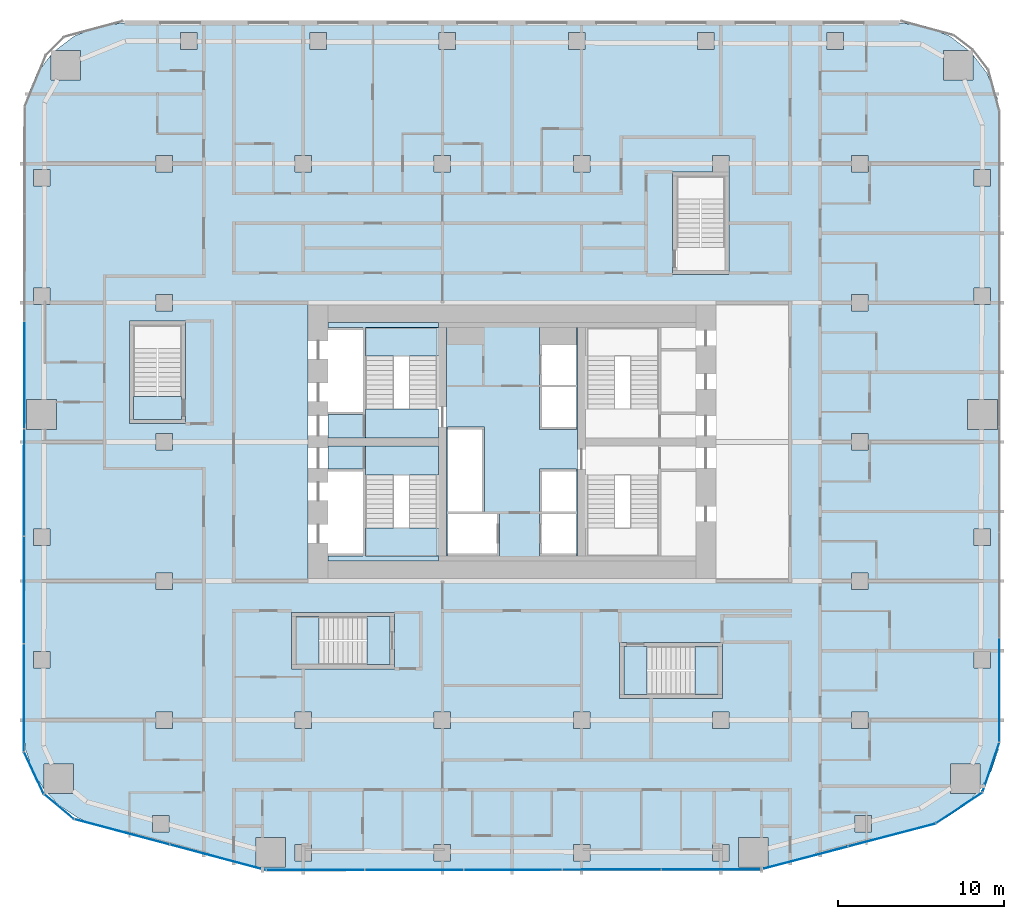
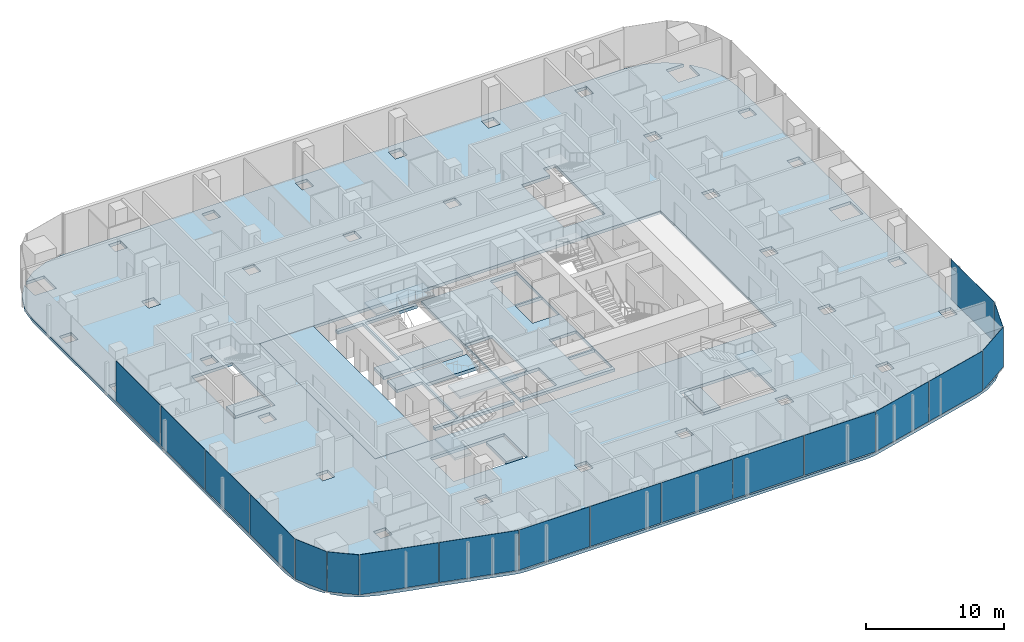
# One storey, part 14 of 26: 18 plates, 14 slabs, 13 elements without a shape of their own.
"""IFC4 building model written with IfcOpenShell, lengths in metres."""

from ifc_helpers import new_model, si_unit, direction, frame, origin, origin_2d, place, context, subcontext, project, spatial, polyline, rectangle, outline, extrude, material, layer, layer_set, type_object, element, aggregate, save


model = new_model("IFC4")

# Units and contexts
model_context = context("Model", 3, precision=1e-05, world=origin(), true_north=direction((0.0, 1.0)))
body_context = subcontext(model_context, "Body", "Model", "MODEL_VIEW")
ifc_project = project(units=[si_unit("LENGTHUNIT", "METRE"), si_unit("AREAUNIT", "SQUARE_METRE"), si_unit("VOLUMEUNIT", "CUBIC_METRE"), si_unit("PLANEANGLEUNIT", "RADIAN"), si_unit("MASSUNIT", "GRAM", prefix="KILO")], contexts=[model_context])

# Site, building, storey
site_placement = place(None, origin())
site = spatial("IfcSite", under=ifc_project, at=site_placement, CompositionType="ELEMENT")
building_placement = place(site_placement, origin())
building = spatial("IfcBuilding", under=site, at=building_placement, Name="Marenta Gate Hotel Tower", CompositionType="ELEMENT")
storey_placement = place(building_placement, frame((0.0, 0.0, 79.699951171875)))
storey = spatial("IfcBuildingStorey", under=building, at=storey_placement, Name="L18", CompositionType="ELEMENT", Elevation=79.699951171875)

# Slabs
ifc_material_1 = material(Name="Concrete C35", Category="concrete")
ifc_layer_1 = layer(ifc_material_1, 0.260009765625)
ifc_layer_set_1 = layer_set([ifc_layer_1], Name="Concrete C35")
slab_type_1 = type_object("IfcSlabType", Name="Concrete floor slab 260", PredefinedType="FLOOR", material=ifc_layer_set_1)
slab_1_placement = place(storey_placement, frame((0.0, 0.0, -0.260009765625)))
element("IfcSlab", 1, at=slab_1_placement, inside=storey, type_object=slab_type_1, Name="L18-SL-1", PredefinedType="FLOOR", context=body_context, shape_type="SweptSolid", body=[
    extrude(outline(polyline([(-27.313720703125, -13.56396484375), (-28.015625, -12.8330078125), (-26.462890625, -12.8330078125), (-26.462890625, -11.032958984375), (-28.262939453125, -11.032958984375), (-28.262939453125, -12.55859375), (-28.927001953125, -11.467041015625), (-29.35546875, -10.20703125), (-29.5, -8.889892578125), (-29.5, 27.6064453125), (-29.29296875, 29.178955078125), (-28.68359375, 30.650390625), (-27.83544921875, 31.755615234375), (-27.83544921875, 30.235595703125), (-26.035400390625, 30.235595703125), (-26.035400390625, 32.035400390625), (-27.555419921875, 32.035400390625), (-26.450439453125, 32.883544921875), (-24.97900390625, 33.492919921875), (-23.406494140625, 33.699951171875), (23.406494140625, 33.699951171875), (24.97900390625, 33.492919921875), (26.450439453125, 32.883544921875), (27.555419921875, 32.035400390625), (26.035400390625, 32.035400390625), (26.035400390625, 30.235595703125), (27.83544921875, 30.235595703125), (27.83544921875, 31.755615234375), (28.68359375, 30.650390625), (29.29296875, 29.178955078125), (29.5, 27.6064453125), (29.5, -8.889892578125), (29.35546875, -10.20703125), (28.927001953125, -11.467041015625), (28.262939453125, -12.55859375), (28.262939453125, -11.032958984375), (26.462890625, -11.032958984375), (26.462890625, -12.8330078125), (28.015625, -12.8330078125), (27.313720703125, -13.56396484375), (26.205810546875, -14.30126953125), (24.969482421875, -14.77880859375), (15.2265625, -17.36376953125), (14.70849609375, -17.4658203125), (14.181640625, -17.5), (-14.181640625, -17.5), (-14.70849609375, -17.4658203125), (-15.2265625, -17.36376953125), (-24.969482421875, -14.77880859375), (-26.205810546875, -14.30126953125), (-27.313720703125, -13.56396484375)]), holes=[polyline([(-16.800048828125, 0.0), (16.800048828125, 0.0), (16.800048828125, 16.800048828125), (-16.800048828125, 16.800048828125), (-16.800048828125, 0.0)]), polyline([(-13.666259765625, -15.474853515625), (-15.46630859375, -15.474853515625), (-15.46630859375, -17.27490234375), (-13.666259765625, -17.27490234375), (-13.666259765625, -15.474853515625)]), polyline([(-20.706787109375, -14.13916015625), (-21.706787109375, -14.13916015625), (-21.706787109375, -15.13916015625), (-20.706787109375, -15.13916015625), (-20.706787109375, -14.13916015625)]), polyline([(-20.5, -8.89990234375), (-20.5, -7.89990234375), (-21.5, -7.89990234375), (-21.5, -8.89990234375), (-20.5, -8.89990234375)]), polyline([(-12.10009765625, -8.89990234375), (-12.10009765625, -7.89990234375), (-13.10009765625, -7.89990234375), (-13.10009765625, -8.89990234375), (-12.10009765625, -8.89990234375)]), polyline([(-27.89990234375, -4.251953125), (-28.89990234375, -4.251953125), (-28.89990234375, -5.251953125), (-27.89990234375, -5.251953125), (-27.89990234375, -4.251953125)]), polyline([(-20.5, -0.5), (-20.5, 0.5), (-21.5, 0.5), (-21.5, -0.5), (-20.5, -0.5)]), polyline([(-27.89990234375, 2.149169921875), (-27.89990234375, 3.149169921875), (-28.89990234375, 3.149169921875), (-28.89990234375, 2.149169921875), (-27.89990234375, 2.149169921875)]), polyline([(-20.5, 8.89990234375), (-21.5, 8.89990234375), (-21.5, 7.89990234375), (-20.5, 7.89990234375), (-20.5, 8.89990234375)]), polyline([(-27.5, 9.14990234375), (-27.5, 10.949951171875), (-29.300048828125, 10.949951171875), (-29.300048828125, 9.14990234375), (-27.5, 9.14990234375)]), polyline([(-20.5, 16.300048828125), (-20.5, 17.300048828125), (-21.5, 17.300048828125), (-21.5, 16.300048828125), (-20.5, 16.300048828125)]), polyline([(-27.89990234375, 17.703125), (-28.89990234375, 17.703125), (-28.89990234375, 16.703125), (-27.89990234375, 16.703125), (-27.89990234375, 17.703125)]), polyline([(-27.89990234375, 23.8564453125), (-27.89990234375, 24.8564453125), (-28.89990234375, 24.8564453125), (-28.89990234375, 23.8564453125), (-27.89990234375, 23.8564453125)]), polyline([(-20.5, 24.699951171875), (-20.5, 25.699951171875), (-21.5, 25.699951171875), (-21.5, 24.699951171875), (-20.5, 24.699951171875)]), polyline([(-19.0068359375, 32.10009765625), (-19.0068359375, 33.10009765625), (-20.0068359375, 33.10009765625), (-20.0068359375, 32.10009765625), (-19.0068359375, 32.10009765625)]), polyline([(-12.10009765625, -16.89990234375), (-12.10009765625, -15.89990234375), (-13.10009765625, -15.89990234375), (-13.10009765625, -16.89990234375), (-12.10009765625, -16.89990234375)]), polyline([(-3.699951171875, -15.89990234375), (-4.699951171875, -15.89990234375), (-4.699951171875, -16.89990234375), (-3.699951171875, -16.89990234375), (-3.699951171875, -15.89990234375)]), polyline([(4.699951171875, -16.89990234375), (4.699951171875, -15.89990234375), (3.699951171875, -15.89990234375), (3.699951171875, -16.89990234375), (4.699951171875, -16.89990234375)]), polyline([(13.10009765625, -16.89990234375), (13.10009765625, -15.89990234375), (12.10009765625, -15.89990234375), (12.10009765625, -16.89990234375), (13.10009765625, -16.89990234375)]), polyline([(15.46630859375, -15.474853515625), (13.666259765625, -15.474853515625), (13.666259765625, -17.27490234375), (15.46630859375, -17.27490234375), (15.46630859375, -15.474853515625)]), polyline([(-3.699951171875, -8.89990234375), (-3.699951171875, -7.89990234375), (-4.699951171875, -7.89990234375), (-4.699951171875, -8.89990234375), (-3.699951171875, -8.89990234375)]), polyline([(4.699951171875, -8.89990234375), (4.699951171875, -7.89990234375), (3.699951171875, -7.89990234375), (3.699951171875, -8.89990234375), (4.699951171875, -8.89990234375)]), polyline([(13.10009765625, -7.89990234375), (12.10009765625, -7.89990234375), (12.10009765625, -8.89990234375), (13.10009765625, -8.89990234375), (13.10009765625, -7.89990234375)]), polyline([(-12.10009765625, 25.699951171875), (-13.10009765625, 25.699951171875), (-13.10009765625, 24.699951171875), (-12.10009765625, 24.699951171875), (-12.10009765625, 25.699951171875)]), polyline([(-3.699951171875, 25.699951171875), (-4.699951171875, 25.699951171875), (-4.699951171875, 24.699951171875), (-3.699951171875, 24.699951171875), (-3.699951171875, 25.699951171875)]), polyline([(4.699951171875, 24.699951171875), (4.699951171875, 25.699951171875), (3.699951171875, 25.699951171875), (3.699951171875, 24.699951171875), (4.699951171875, 24.699951171875)]), polyline([(13.10009765625, 25.699951171875), (12.10009765625, 25.699951171875), (12.10009765625, 24.699951171875), (9.699951171875, 24.699951171875), (9.699951171875, 18.5), (13.10009765625, 18.5), (13.10009765625, 25.699951171875)]), polyline([(-11.2041015625, 33.10009765625), (-12.2041015625, 33.10009765625), (-12.2041015625, 32.10009765625), (-11.2041015625, 32.10009765625), (-11.2041015625, 33.10009765625)]), polyline([(-3.4013671875, 32.10009765625), (-3.4013671875, 33.10009765625), (-4.4013671875, 33.10009765625), (-4.4013671875, 32.10009765625), (-3.4013671875, 32.10009765625)]), polyline([(4.4013671875, 32.10009765625), (4.4013671875, 33.10009765625), (3.4013671875, 33.10009765625), (3.4013671875, 32.10009765625), (4.4013671875, 32.10009765625)]), polyline([(12.2041015625, 33.10009765625), (11.2041015625, 33.10009765625), (11.2041015625, 32.10009765625), (12.2041015625, 32.10009765625), (12.2041015625, 33.10009765625)]), polyline([(21.706787109375, -15.13916015625), (21.706787109375, -14.13916015625), (20.706787109375, -14.13916015625), (20.706787109375, -15.13916015625), (21.706787109375, -15.13916015625)]), polyline([(21.5, -7.89990234375), (20.5, -7.89990234375), (20.5, -8.89990234375), (21.5, -8.89990234375), (21.5, -7.89990234375)]), polyline([(28.89990234375, -5.251953125), (28.89990234375, -4.251953125), (27.89990234375, -4.251953125), (27.89990234375, -5.251953125), (28.89990234375, -5.251953125)]), polyline([(21.5, -0.5), (21.5, 0.5), (20.5, 0.5), (20.5, -0.5), (21.5, -0.5)]), polyline([(28.89990234375, 3.149169921875), (27.89990234375, 3.149169921875), (27.89990234375, 2.149169921875), (28.89990234375, 2.149169921875), (28.89990234375, 3.149169921875)]), polyline([(21.5, 7.89990234375), (21.5, 8.89990234375), (20.5, 8.89990234375), (20.5, 7.89990234375), (21.5, 7.89990234375)]), polyline([(29.300048828125, 9.14990234375), (29.300048828125, 10.949951171875), (27.5, 10.949951171875), (27.5, 9.14990234375), (29.300048828125, 9.14990234375)]), polyline([(21.5, 17.300048828125), (20.5, 17.300048828125), (20.5, 16.300048828125), (21.5, 16.300048828125), (21.5, 17.300048828125)]), polyline([(28.89990234375, 16.703125), (28.89990234375, 17.703125), (27.89990234375, 17.703125), (27.89990234375, 16.703125), (28.89990234375, 16.703125)]), polyline([(28.89990234375, 23.8564453125), (28.89990234375, 24.8564453125), (27.89990234375, 24.8564453125), (27.89990234375, 23.8564453125), (28.89990234375, 23.8564453125)]), polyline([(21.5, 25.699951171875), (20.5, 25.699951171875), (20.5, 24.699951171875), (21.5, 24.699951171875), (21.5, 25.699951171875)]), polyline([(20.0068359375, 32.10009765625), (20.0068359375, 33.10009765625), (19.0068359375, 33.10009765625), (19.0068359375, 32.10009765625), (20.0068359375, 32.10009765625)]), polyline([(6.5, -7.10009765625), (12.699951171875, -7.10009765625), (12.699951171875, -3.699951171875), (6.5, -3.699951171875), (6.5, -7.10009765625)]), polyline([(-13.300048828125, -5.300048828125), (-7.10009765625, -5.300048828125), (-7.10009765625, -1.89990234375), (-13.300048828125, -1.89990234375), (-13.300048828125, -5.300048828125)]), polyline([(-23.10009765625, 9.5), (-19.699951171875, 9.5), (-19.699951171875, 15.699951171875), (-23.10009765625, 15.699951171875), (-23.10009765625, 9.5)])]), origin(), (0.0, 0.0, 1.0), 0.260009765625),
])
ifc_material_2 = material(Name="Concrete C40", Category="concrete")
ifc_layer_2 = layer(ifc_material_2, 0.260009765625)
ifc_layer_set_2 = layer_set([ifc_layer_2], Name="Concrete C40")
slab_type_2 = type_object("IfcSlabType", Name="Core floor slab 260", PredefinedType="FLOOR", material=ifc_layer_set_2)
slab_2_placement = place(storey_placement, frame((0.0, 0.0, -0.260009765625)))
element("IfcSlab", 2, at=slab_2_placement, inside=storey, type_object=slab_type_2, Name="L18-CF-4", PredefinedType="FLOOR", context=body_context, shape_type="SweptSolid", body=[
    extrude(outline(polyline([(3.949951171875, 15.300048828125), (3.949951171875, 10.39990234375), (3.949951171875, 6.39990234375), (3.949951171875, 1.5), (3.949951171875, 1.199951171875), (-3.949951171875, 1.199951171875), (-3.949951171875, 1.5), (-3.949951171875, 6.39990234375), (-3.949951171875, 10.39990234375), (-3.949951171875, 15.300048828125), (-3.949951171875, 15.60009765625), (3.949951171875, 15.60009765625), (3.949951171875, 15.300048828125)]), holes=[polyline([(1.64990234375, 4.050048828125), (1.64990234375, 1.64990234375), (1.64990234375, 1.5), (3.89990234375, 1.5), (3.89990234375, 1.64990234375), (3.89990234375, 4.050048828125), (1.800048828125, 4.050048828125), (1.64990234375, 4.050048828125)]), polyline([(1.64990234375, 9.14990234375), (3.89990234375, 9.14990234375), (3.89990234375, 9.300048828125), (3.89990234375, 11.699951171875), (1.800048828125, 11.699951171875), (1.64990234375, 11.699951171875), (1.64990234375, 9.300048828125), (1.64990234375, 9.14990234375)]), polyline([(1.64990234375, 11.85009765625), (1.800048828125, 11.85009765625), (3.89990234375, 11.85009765625), (3.89990234375, 14.25), (3.89990234375, 15.300048828125), (1.64990234375, 15.300048828125), (1.64990234375, 14.25), (1.64990234375, 11.85009765625)]), polyline([(3.89990234375, 6.60009765625), (3.89990234375, 6.75), (1.64990234375, 6.75), (1.64990234375, 6.60009765625), (1.64990234375, 4.199951171875), (1.800048828125, 4.199951171875), (3.89990234375, 4.199951171875), (3.89990234375, 6.60009765625)]), polyline([(-3.89990234375, 1.5), (-0.89990234375, 1.5), (-0.75, 1.5), (-0.75, 4.050048828125), (-0.89990234375, 4.050048828125), (-3.89990234375, 4.050048828125), (-3.89990234375, 1.64990234375), (-3.89990234375, 1.5)]), polyline([(-1.64990234375, 4.199951171875), (-1.64990234375, 9.14990234375), (-1.64990234375, 9.300048828125), (-3.89990234375, 9.300048828125), (-3.89990234375, 9.14990234375), (-3.89990234375, 6.75), (-3.89990234375, 6.60009765625), (-3.89990234375, 4.199951171875), (-1.800048828125, 4.199951171875), (-1.64990234375, 4.199951171875)])]), origin(), (0.0, 0.0, 1.0), 0.260009765625),
])
slab_3_placement = place(storey_placement, frame((0.0, 0.0, -0.260009765625)))
element("IfcSlab", 3, at=slab_3_placement, inside=storey, type_object=slab_type_2, Name="L18-CF-5", PredefinedType="FLOOR", context=body_context, shape_type="SweptSolid", body=[
    extrude(outline(polyline([(-9.0, 1.5), (-9.0, 1.64990234375), (-9.0, 4.050048828125), (-9.0, 4.199951171875), (-9.0, 6.60009765625), (-9.0, 6.75), (-11.10009765625, 6.75), (-11.10009765625, 8.14990234375), (-8.85009765625, 8.14990234375), (-8.85009765625, 8.10009765625), (-8.85009765625, 6.39990234375), (-8.85009765625, 1.5), (-4.449951171875, 1.5), (-4.449951171875, 1.199951171875), (-11.10009765625, 1.199951171875), (-11.10009765625, 1.5), (-9.0, 1.5)])), origin(), (0.0, 0.0, 1.0), 0.260009765625),
])
slab_4_placement = place(storey_placement, frame((0.0, 0.0, -0.260009765625)))
element("IfcSlab", 4, at=slab_4_placement, inside=storey, type_object=slab_type_2, Name="L18-CF-6", PredefinedType="FLOOR", context=body_context, shape_type="SweptSolid", body=[
    extrude(outline(polyline([(-4.449951171875, 15.300048828125), (-8.85009765625, 15.300048828125), (-8.85009765625, 10.39990234375), (-8.85009765625, 8.699951171875), (-8.85009765625, 8.64990234375), (-11.10009765625, 8.64990234375), (-11.10009765625, 10.050048828125), (-9.0, 10.050048828125), (-9.0, 10.199951171875), (-9.0, 12.60009765625), (-9.0, 12.75), (-9.0, 15.14990234375), (-9.0, 15.300048828125), (-11.10009765625, 15.300048828125), (-11.10009765625, 15.60009765625), (-4.449951171875, 15.60009765625), (-4.449951171875, 15.300048828125)])), origin(), (0.0, 0.0, 1.0), 0.260009765625),
])
slab_5_placement = place(storey_placement, frame((0.0, 0.0, -0.260009765625)))
element("IfcSlab", 5, at=slab_5_placement, inside=storey, type_object=slab_type_2, Name="L18-CF-7", PredefinedType="FLOOR", context=body_context, shape_type="SweptSolid", body=[
    extrude(outline(polyline([(-12.300048828125, 16.800048828125), (-12.300048828125, 0.0), (-16.800048828125, 0.0), (-16.800048828125, 16.800048828125), (-12.300048828125, 16.800048828125)])), origin(), (0.0, 0.0, 1.0), 0.260009765625),
])

# Stair, slab
ifc_material_3 = material(Name="Concrete C40", Category="concrete")
stair_type_1 = type_object("IfcStairType", Name="Core exit stair 1700 wide", PredefinedType="HALF_TURN_STAIR", material=ifc_material_3)
stair_1_placement = place(storey_placement, origin())
stair_1 = element("IfcStair", 6, at=stair_1_placement, inside=storey, type_object=stair_type_1, Name="Exit stair 1", PredefinedType="HALF_TURN_STAIR")
ifc_material_4 = material(Name="Concrete C40", Category="concrete")
ifc_layer_3 = layer(ifc_material_4, 0.199951171875)
ifc_layer_set_3 = layer_set([ifc_layer_3], Name="Concrete C40")
slab_type_3 = type_object("IfcSlabType", Name="Core stair landing 200", PredefinedType="LANDING", material=ifc_layer_set_3)
slab_6_placement = place(storey_placement, frame((0.0, 0.0, 1.60009765625)))
slab_6 = element("IfcSlab", 7, at=slab_6_placement, type_object=slab_type_3, Name="SL-200 ST1 landing 1", PredefinedType="LANDING", context=body_context, shape_type="SweptSolid", body=[
    extrude(outline(polyline([(-8.85009765625, 1.5), (-3.949951171875, 1.5), (-3.949951171875, 3.2099609375), (-8.85009765625, 3.2099609375), (-8.85009765625, 1.5)])), origin(), (0.0, 0.0, 1.0), 0.199951171875),
])
aggregate(stair_1, [slab_6])

stair_2_placement = place(storey_placement, origin())
stair_2 = element("IfcStair", 8, at=stair_2_placement, inside=storey, type_object=stair_type_1, Name="Exit stair 2", PredefinedType="HALF_TURN_STAIR")
slab_7_placement = place(storey_placement, frame((0.0, 0.0, 1.60009765625)))
slab_7 = element("IfcSlab", 9, at=slab_7_placement, type_object=slab_type_3, Name="SL-200 ST2 landing 1", PredefinedType="LANDING", context=body_context, shape_type="SweptSolid", body=[
    extrude(outline(polyline([(-8.85009765625, 13.590087890625), (-3.949951171875, 13.590087890625), (-3.949951171875, 15.300048828125), (-8.85009765625, 15.300048828125), (-8.85009765625, 13.590087890625)])), origin(), (0.0, 0.0, 1.0), 0.199951171875),
])
aggregate(stair_2, [slab_7])

# Curtain wall, plates
ifc_material_5 = material(Name="Tinted insulated glass in bronze anodised frame", Category="glass")
ifc_layer_4 = layer(ifc_material_5, 0.1201171875)
ifc_layer_set_4 = layer_set([ifc_layer_4], Name="Tinted insulated glass in bronze anodised frame")
curtain_wall_type = type_object("IfcCurtainWallType", Name="Tower unitised curtain wall CW1", PredefinedType="NOTDEFINED", material=ifc_layer_set_4)
curtain_wall_1_placement = place(storey_placement, origin())
curtain_wall_1 = element("IfcCurtainWall", 10, at=curtain_wall_1_placement, inside=storey, type_object=curtain_wall_type, Name="CW1 run G03", PredefinedType="NOTDEFINED")
ifc_material_6 = material(Name="Tinted insulated glass", Category="glass")
ifc_layer_5 = layer(ifc_material_6, 0.028076171875)
ifc_layer_set_5 = layer_set([ifc_layer_5], Name="Tinted insulated glass")
plate_type = type_object("IfcPlateType", Name="Glass panel CW1 28 mm tinted insulated unit", PredefinedType="CURTAIN_PANEL", material=ifc_layer_set_5)
plate_1_placement = place(storey_placement, frame((-29.437744140625, 12.440185546875, 0.06005859375), z_axis=(0.0, 0.0, 1.0), x_axis=(-0.00156642217, -0.99999877316, 0.0)))
plate_1 = element("IfcPlate", 11, at=plate_1_placement, type_object=plate_type, Name="CW1 panel 3.1", PredefinedType="CURTAIN_PANEL", context=body_context, shape_type="SweptSolid", body=[
    extrude(rectangle(XDim=6.430419921875, YDim=0.028076171875, at=origin_2d()), origin(), (0.0, 0.0, 1.0), 3.5400390625),
])
plate_2_placement = place(storey_placement, frame((-29.447998046875, 5.949951171875, 0.06005859375), z_axis=(0.0, 0.0, 1.0), x_axis=(-0.00156642217, -0.99999877316, 0.0)))
plate_2 = element("IfcPlate", 12, at=plate_2_placement, type_object=plate_type, Name="CW1 panel 4.1", PredefinedType="CURTAIN_PANEL", context=body_context, shape_type="SweptSolid", body=[
    extrude(rectangle(XDim=6.430419921875, YDim=0.028076171875, at=origin_2d()), origin(), (0.0, 0.0, 1.0), 3.5400390625),
])
plate_3_placement = place(storey_placement, frame((-29.4580078125, -0.54052734375, 0.06005859375), z_axis=(0.0, 0.0, 1.0), x_axis=(-0.00156642217, -0.99999877316, 0.0)))
plate_3 = element("IfcPlate", 13, at=plate_3_placement, type_object=plate_type, Name="CW1 panel 5.1", PredefinedType="CURTAIN_PANEL", context=body_context, shape_type="SweptSolid", body=[
    extrude(rectangle(XDim=6.430419921875, YDim=0.028076171875, at=origin_2d()), origin(), (0.0, 0.0, 1.0), 3.5400390625),
])
plate_4_placement = place(storey_placement, frame((-29.46826171875, -7.0458984375, 0.06005859375), z_axis=(0.0, 0.0, 1.0), x_axis=(-0.00156642217, -0.99999877316, 0.0)))
plate_4 = element("IfcPlate", 14, at=plate_4_placement, type_object=plate_type, Name="CW1 panel 6.1", PredefinedType="CURTAIN_PANEL", context=body_context, shape_type="SweptSolid", body=[
    extrude(rectangle(XDim=6.46044921875, YDim=0.028076171875, at=origin_2d()), origin(), (0.0, 0.0, 1.0), 3.5400390625),
])
aggregate(curtain_wall_1, [plate_1, plate_2, plate_3, plate_4])

# Curtain wall, plate
curtain_wall_2_placement = place(storey_placement, origin())
curtain_wall_2 = element("IfcCurtainWall", 15, at=curtain_wall_2_placement, inside=storey, type_object=curtain_wall_type, Name="CW1 run G04", PredefinedType="NOTDEFINED")
plate_5_placement = place(storey_placement, frame((-28.861083984375, -11.5859375, 0.06005859375), z_axis=(0.0, 0.0, 1.0), x_axis=(0.423341617441, -0.905970129167, 0.0)))
plate_5 = element("IfcPlate", 16, at=plate_5_placement, type_object=plate_type, Name="CW1 panel 1.1", PredefinedType="CURTAIN_PANEL", context=body_context, shape_type="SweptSolid", body=[
    extrude(rectangle(XDim=2.77197265625, YDim=0.028076171875, at=origin_2d()), origin(), (0.0, 0.0, 1.0), 3.5400390625),
])
aggregate(curtain_wall_2, [plate_5])

curtain_wall_3_placement = place(storey_placement, origin())
curtain_wall_3 = element("IfcCurtainWall", 17, at=curtain_wall_3_placement, inside=storey, type_object=curtain_wall_type, Name="CW1 run G05", PredefinedType="NOTDEFINED")
plate_6_placement = place(storey_placement, frame((-27.33984375, -13.623291015625, 0.06005859375), z_axis=(0.0, 0.0, 1.0), x_axis=(0.767113012445, -0.641511984407, 0.0)))
plate_6 = element("IfcPlate", 18, at=plate_6_placement, type_object=plate_type, Name="CW1 panel 1.1", PredefinedType="CURTAIN_PANEL", context=body_context, shape_type="SweptSolid", body=[
    extrude(rectangle(XDim=2.316650390625, YDim=0.028076171875, at=origin_2d()), origin(), (0.0, 0.0, 1.0), 3.5400390625),
])
aggregate(curtain_wall_3, [plate_6])

# Curtain wall, plates
curtain_wall_4_placement = place(storey_placement, origin())
curtain_wall_4 = element("IfcCurtainWall", 19, at=curtain_wall_4_placement, inside=storey, type_object=curtain_wall_type, Name="CW1 run G06", PredefinedType="NOTDEFINED")
plate_7_placement = place(storey_placement, frame((-23.541748046875, -15.140625, 0.06005859375), z_axis=(0.0, 0.0, 1.0), x_axis=(0.966373715782, -0.257141675823, 0.0)))
plate_7 = element("IfcPlate", 20, at=plate_7_placement, type_object=plate_type, Name="CW1 panel 1.1", PredefinedType="CURTAIN_PANEL", context=body_context, shape_type="SweptSolid", body=[
    extrude(rectangle(XDim=5.90185546875, YDim=0.028076171875, at=origin_2d()), origin(), (0.0, 0.0, 1.0), 3.5400390625),
])
plate_8_placement = place(storey_placement, frame((-17.751220703125, -16.681396484375, 0.06005859375), z_axis=(0.0, 0.0, 1.0), x_axis=(0.966373715782, -0.257141675823, 0.0)))
plate_8 = element("IfcPlate", 21, at=plate_8_placement, type_object=plate_type, Name="CW1 panel 2.1", PredefinedType="CURTAIN_PANEL", context=body_context, shape_type="SweptSolid", body=[
    extrude(rectangle(XDim=5.9619140625, YDim=0.028076171875, at=origin_2d()), origin(), (0.0, 0.0, 1.0), 3.5400390625),
])
aggregate(curtain_wall_4, [plate_7, plate_8])

curtain_wall_5_placement = place(storey_placement, origin())
curtain_wall_5 = element("IfcCurtainWall", 22, at=curtain_wall_5_placement, inside=storey, type_object=curtain_wall_type, Name="CW1 run G07", PredefinedType="NOTDEFINED")
plate_9_placement = place(storey_placement, frame((-11.869140625, -17.4443359375, 0.06005859375), z_axis=(0.0, 0.0, 1.0), x_axis=(0.999999324969, 0.001161921639, 0.0)))
plate_9 = element("IfcPlate", 23, at=plate_9_placement, type_object=plate_type, Name="CW1 panel 1.1", PredefinedType="CURTAIN_PANEL", context=body_context, shape_type="SweptSolid", body=[
    extrude(rectangle(XDim=5.8828125, YDim=0.028076171875, at=origin_2d()), origin(), (0.0, 0.0, 1.0), 3.5400390625),
])
plate_10_placement = place(storey_placement, frame((-5.911376953125, -17.4375, 0.06005859375), z_axis=(0.0, 0.0, 1.0), x_axis=(0.999999324969, 0.001161921639, 0.0)))
plate_10 = element("IfcPlate", 24, at=plate_10_placement, type_object=plate_type, Name="CW1 panel 2.1", PredefinedType="CURTAIN_PANEL", context=body_context, shape_type="SweptSolid", body=[
    extrude(rectangle(XDim=5.912841796875, YDim=0.028076171875, at=origin_2d()), origin(), (0.0, 0.0, 1.0), 3.5400390625),
])
plate_11_placement = place(storey_placement, frame((0.0615234375, -17.430419921875, 0.06005859375), z_axis=(0.0, 0.0, 1.0), x_axis=(0.999999324969, 0.001161921639, 0.0)))
plate_11 = element("IfcPlate", 25, at=plate_11_placement, type_object=plate_type, Name="CW1 panel 3.1", PredefinedType="CURTAIN_PANEL", context=body_context, shape_type="SweptSolid", body=[
    extrude(rectangle(XDim=5.912841796875, YDim=0.028076171875, at=origin_2d()), origin(), (0.0, 0.0, 1.0), 3.5400390625),
])
plate_12_placement = place(storey_placement, frame((6.034423828125, -17.423583984375, 0.06005859375), z_axis=(0.0, 0.0, 1.0), x_axis=(0.999999324969, 0.001161921639, 0.0)))
plate_12 = element("IfcPlate", 26, at=plate_12_placement, type_object=plate_type, Name="CW1 panel 4.1", PredefinedType="CURTAIN_PANEL", context=body_context, shape_type="SweptSolid", body=[
    extrude(rectangle(XDim=5.912841796875, YDim=0.028076171875, at=origin_2d()), origin(), (0.0, 0.0, 1.0), 3.5400390625),
])
plate_13_placement = place(storey_placement, frame((12.022216796875, -17.41650390625, 0.06005859375), z_axis=(0.0, 0.0, 1.0), x_axis=(0.999999324969, 0.001161921639, 0.0)))
plate_13 = element("IfcPlate", 27, at=plate_13_placement, type_object=plate_type, Name="CW1 panel 5.1", PredefinedType="CURTAIN_PANEL", context=body_context, shape_type="SweptSolid", body=[
    extrude(rectangle(XDim=5.94287109375, YDim=0.028076171875, at=origin_2d()), origin(), (0.0, 0.0, 1.0), 3.5400390625),
])
aggregate(curtain_wall_5, [plate_9, plate_10, plate_11, plate_12, plate_13])

curtain_wall_6_placement = place(storey_placement, origin())
curtain_wall_6 = element("IfcCurtainWall", 28, at=curtain_wall_6_placement, inside=storey, type_object=curtain_wall_type, Name="CW1 run G08", PredefinedType="NOTDEFINED")
plate_14_placement = place(storey_placement, frame((17.651611328125, -16.717041015625, 0.06005859375), z_axis=(0.0, 0.0, 1.0), x_axis=(0.967368966674, 0.25337182621, 0.0)))
plate_14 = element("IfcPlate", 29, at=plate_14_placement, type_object=plate_type, Name="CW1 panel 1.1", PredefinedType="CURTAIN_PANEL", context=body_context, shape_type="SweptSolid", body=[
    extrude(rectangle(XDim=5.375244140625, YDim=0.028076171875, at=origin_2d()), origin(), (0.0, 0.0, 1.0), 3.5400390625),
])
plate_15_placement = place(storey_placement, frame((22.938720703125, -15.332275390625, 0.06005859375), z_axis=(0.0, 0.0, 1.0), x_axis=(0.967368966674, 0.25337182621, 0.0)))
plate_15 = element("IfcPlate", 30, at=plate_15_placement, type_object=plate_type, Name="CW1 panel 2.1", PredefinedType="CURTAIN_PANEL", context=body_context, shape_type="SweptSolid", body=[
    extrude(rectangle(XDim=5.435302734375, YDim=0.028076171875, at=origin_2d()), origin(), (0.0, 0.0, 1.0), 3.5400390625),
])
aggregate(curtain_wall_6, [plate_14, plate_15])

# Curtain wall, plate
curtain_wall_7_placement = place(storey_placement, origin())
curtain_wall_7 = element("IfcCurtainWall", 31, at=curtain_wall_7_placement, inside=storey, type_object=curtain_wall_type, Name="CW1 run G09", PredefinedType="NOTDEFINED")
plate_16_placement = place(storey_placement, frame((27.006591796875, -13.685791015625, 0.06005859375), z_axis=(0.0, 0.0, 1.0), x_axis=(0.832493824282, 0.554034324326, 0.0)))
plate_16 = element("IfcPlate", 32, at=plate_16_placement, type_object=plate_type, Name="CW1 panel 1.1", PredefinedType="CURTAIN_PANEL", context=body_context, shape_type="SweptSolid", body=[
    extrude(rectangle(XDim=3.33740234375, YDim=0.028076171875, at=origin_2d()), origin(), (0.0, 0.0, 1.0), 3.5400390625),
])
aggregate(curtain_wall_7, [plate_16])

curtain_wall_8_placement = place(storey_placement, origin())
curtain_wall_8 = element("IfcCurtainWall", 33, at=curtain_wall_8_placement, inside=storey, type_object=curtain_wall_type, Name="CW1 run G10", PredefinedType="NOTDEFINED")
plate_17_placement = place(storey_placement, frame((28.91455078125, -11.236328125, 0.06005859375), z_axis=(0.0, 0.0, 1.0), x_axis=(0.322028604337, 0.946729939312, 0.0)))
plate_17 = element("IfcPlate", 34, at=plate_17_placement, type_object=plate_type, Name="CW1 panel 1.1", PredefinedType="CURTAIN_PANEL", context=body_context, shape_type="SweptSolid", body=[
    extrude(rectangle(XDim=3.101806640625, YDim=0.028076171875, at=origin_2d()), origin(), (0.0, 0.0, 1.0), 3.5400390625),
])
aggregate(curtain_wall_8, [plate_17])

curtain_wall_9_placement = place(storey_placement, origin())
curtain_wall_9 = element("IfcCurtainWall", 35, at=curtain_wall_9_placement, inside=storey, type_object=curtain_wall_type, Name="CW1 run G11", PredefinedType="NOTDEFINED")
plate_18_placement = place(storey_placement, frame((29.4140625, -6.572998046875, 0.06005859375), z_axis=(0.0, 0.0, 1.0), x_axis=(0.0, 1.0, 0.0)))
plate_18 = element("IfcPlate", 36, at=plate_18_placement, type_object=plate_type, Name="CW1 panel 1.1", PredefinedType="CURTAIN_PANEL", context=body_context, shape_type="SweptSolid", body=[
    extrude(rectangle(XDim=6.27001953125, YDim=0.028076171875, at=origin_2d()), origin(), (0.0, 0.0, 1.0), 3.5400390625),
])
aggregate(curtain_wall_9, [plate_18])

# Stair, slab
ifc_material_7 = material(Name="Concrete C40", Category="concrete")
stair_type_2 = type_object("IfcStairType", Name="Remote exit stair 1400 wide", PredefinedType="HALF_TURN_STAIR", material=ifc_material_7)
stair_3_placement = place(storey_placement, origin())
stair_3 = element("IfcStair", 37, at=stair_3_placement, inside=storey, type_object=stair_type_2, Name="Exit stair RS-Z1-1", PredefinedType="HALF_TURN_STAIR")
ifc_material_8 = material(Name="Concrete C40", Category="concrete")
ifc_layer_6 = layer(ifc_material_8, 0.199951171875)
ifc_layer_set_6 = layer_set([ifc_layer_6], Name="Concrete C40")
slab_type_4 = type_object("IfcSlabType", Name="Remote stair landing 200", PredefinedType="LANDING", material=ifc_layer_set_6)
slab_8_placement = place(storey_placement, frame((0.0, 0.0, 1.60009765625)))
slab_8 = element("IfcSlab", 38, at=slab_8_placement, type_object=slab_type_4, Name="RL-200 RS-Z1-1 landing 1", PredefinedType="LANDING", context=body_context, shape_type="SweptSolid", body=[
    extrude(outline(polyline([(11.050048828125, -6.85009765625), (12.449951171875, -6.85009765625), (12.449951171875, -3.949951171875), (11.050048828125, -3.949951171875), (11.050048828125, -6.85009765625)])), origin(), (0.0, 0.0, 1.0), 0.199951171875),
])
aggregate(stair_3, [slab_8])

stair_4_placement = place(storey_placement, origin())
stair_4 = element("IfcStair", 39, at=stair_4_placement, inside=storey, type_object=stair_type_2, Name="Exit stair RS-Z1-2", PredefinedType="HALF_TURN_STAIR")
slab_9_placement = place(storey_placement, frame((0.0, 0.0, 1.60009765625)))
slab_9 = element("IfcSlab", 40, at=slab_9_placement, type_object=slab_type_4, Name="RL-200 RS-Z1-2 landing 1", PredefinedType="LANDING", context=body_context, shape_type="SweptSolid", body=[
    extrude(outline(polyline([(-13.050048828125, -5.050048828125), (-11.64990234375, -5.050048828125), (-11.64990234375, -2.14990234375), (-13.050048828125, -2.14990234375), (-13.050048828125, -5.050048828125)])), origin(), (0.0, 0.0, 1.0), 0.199951171875),
])
aggregate(stair_4, [slab_9])

# Slabs
ifc_material_9 = material(Name="Concrete C40", Category="concrete")
ifc_layer_7 = layer(ifc_material_9, 0.300048828125)
ifc_layer_set_7 = layer_set([ifc_layer_7], Name="Concrete C40")
slab_type_5 = type_object("IfcSlabType", Name="Stair floor landing slab 300", PredefinedType="FLOOR", material=ifc_layer_set_7)
slab_10_placement = place(storey_placement, frame((0.0, 0.0, -0.300048828125)))
element("IfcSlab", 41, at=slab_10_placement, inside=storey, type_object=slab_type_5, Name="L18-CL-ST1-1", PredefinedType="FLOOR", context=body_context, shape_type="SweptSolid", body=[
    extrude(outline(polyline([(-4.449951171875, 6.39990234375), (-8.85009765625, 6.39990234375), (-8.85009765625, 8.10009765625), (-8.85009765625, 8.14990234375), (-4.449951171875, 8.14990234375), (-4.449951171875, 6.39990234375)])), origin(), (0.0, 0.0, 1.0), 0.300048828125),
])
slab_11_placement = place(storey_placement, frame((0.0, 0.0, -0.300048828125)))
element("IfcSlab", 42, at=slab_11_placement, inside=storey, type_object=slab_type_5, Name="L18-CL-ST2-1", PredefinedType="FLOOR", context=body_context, shape_type="SweptSolid", body=[
    extrude(outline(polyline([(-4.449951171875, 8.64990234375), (-8.85009765625, 8.64990234375), (-8.85009765625, 8.699951171875), (-8.85009765625, 10.39990234375), (-4.449951171875, 10.39990234375), (-4.449951171875, 8.64990234375)])), origin(), (0.0, 0.0, 1.0), 0.300048828125),
])
slab_12_placement = place(storey_placement, frame((0.0, 0.0, -0.300048828125)))
element("IfcSlab", 43, at=slab_12_placement, inside=storey, type_object=slab_type_5, Name="L18-RS-Z1-1-CL", PredefinedType="FLOOR", context=body_context, shape_type="SweptSolid", body=[
    extrude(outline(polyline([(8.14990234375, -6.85009765625), (8.14990234375, -3.949951171875), (6.75, -3.949951171875), (6.75, -6.85009765625), (8.14990234375, -6.85009765625)])), origin(), (0.0, 0.0, 1.0), 0.300048828125),
])
slab_13_placement = place(storey_placement, frame((0.0, 0.0, -0.300048828125)))
element("IfcSlab", 44, at=slab_13_placement, inside=storey, type_object=slab_type_5, Name="L18-RS-Z1-2-CL", PredefinedType="FLOOR", context=body_context, shape_type="SweptSolid", body=[
    extrude(outline(polyline([(-7.35009765625, -5.050048828125), (-7.35009765625, -2.14990234375), (-8.75, -2.14990234375), (-8.75, -5.050048828125), (-7.35009765625, -5.050048828125)])), origin(), (0.0, 0.0, 1.0), 0.300048828125),
])
slab_14_placement = place(storey_placement, frame((0.0, 0.0, -0.300048828125)))
element("IfcSlab", 45, at=slab_14_placement, inside=storey, type_object=slab_type_5, Name="L18-RS-Z1-3-CL", PredefinedType="FLOOR", context=body_context, shape_type="SweptSolid", body=[
    extrude(outline(polyline([(-19.949951171875, 9.75), (-19.949951171875, 11.14990234375), (-22.85009765625, 11.14990234375), (-22.85009765625, 9.75), (-19.949951171875, 9.75)])), origin(), (0.0, 0.0, 1.0), 0.300048828125),
])

save(model, "model.ifc")
